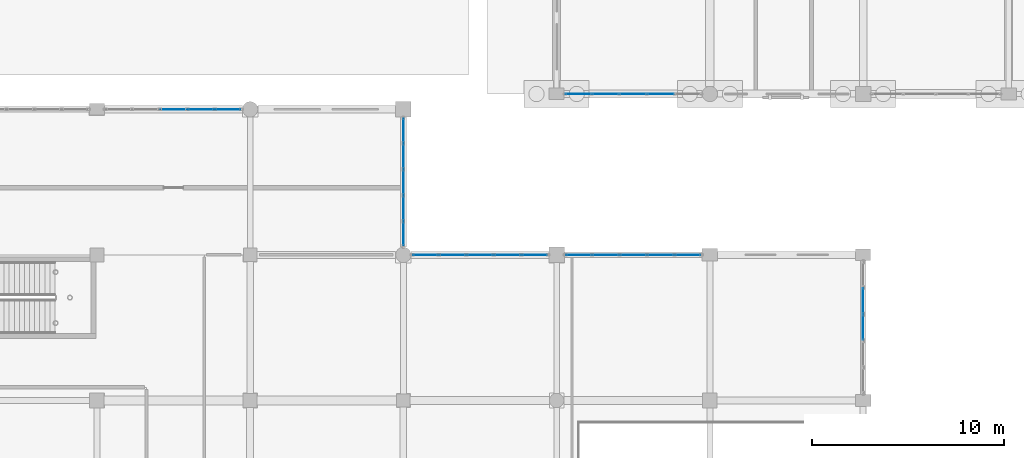
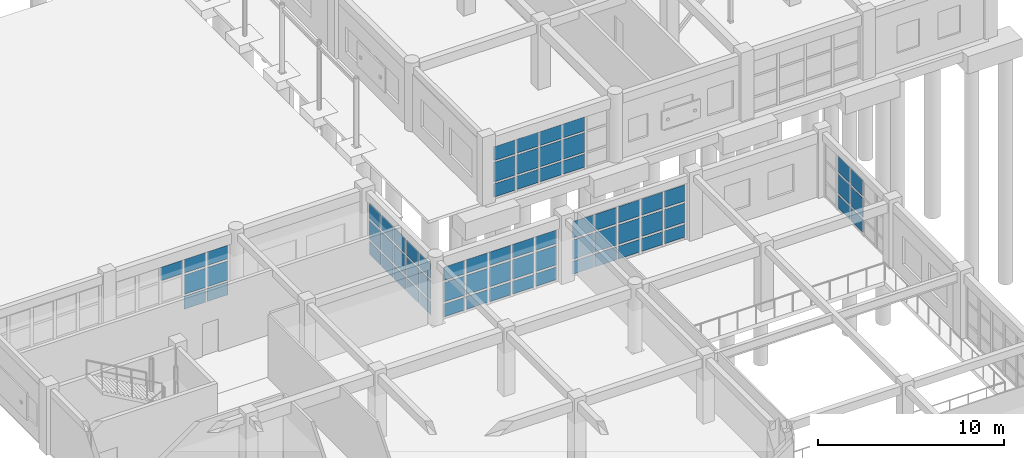
# One storey, part 115 of 166: 70 plates, 6 elements without a shape of their own.
"""IFC4 building model written with IfcOpenShell, lengths in metres."""

from ifc_helpers import new_model, si_unit, direction, frame, origin, origin_2d, place, context, subcontext, project, spatial, rectangle, extrude, material, layer, layer_set, type_object, element, aggregate, save


model = new_model("IFC4")

# Units and contexts
model_context = context("Model", 3, precision=1e-05, world=origin(), true_north=direction((0.0, 1.0)))
body_context = subcontext(model_context, "Body", "Model", "MODEL_VIEW")
ifc_project = project(units=[si_unit("LENGTHUNIT", "METRE"), si_unit("AREAUNIT", "SQUARE_METRE"), si_unit("VOLUMEUNIT", "CUBIC_METRE"), si_unit("PLANEANGLEUNIT", "RADIAN"), si_unit("MASSUNIT", "GRAM", prefix="KILO")], contexts=[model_context])

# Site, building, storey
site_placement = place(None, origin())
site = spatial("IfcSite", under=ifc_project, at=site_placement, CompositionType="ELEMENT")
building_placement = place(site_placement, origin())
building = spatial("IfcBuilding", under=site, at=building_placement, Name="Kharva Crest Polytechnic", CompositionType="ELEMENT")
storey_placement = place(building_placement, origin())
storey = spatial("IfcBuildingStorey", under=building, at=storey_placement, Name="L00", CompositionType="ELEMENT", Elevation=0.0)

# Curtain wall, plates
ifc_material = material(Name="Tempered insulated glass", Category="glass")
curtain_wall_type_1 = type_object("IfcCurtainWallType", Name="CW-SYS-COURT", PredefinedType="USERDEFINED", material=ifc_material)
curtain_wall_1_placement = place(storey_placement, origin())
curtain_wall_1 = element("IfcCurtainWall", 1, at=curtain_wall_1_placement, inside=storey, type_object=curtain_wall_type_1, Name="L00 Glazed Curtain Wall CW-014", ObjectType="CURTAIN WALL", PredefinedType="USERDEFINED")
ifc_layer_1 = layer(ifc_material, 0.02392578125, Name="Tempered insulated glass")
ifc_layer_set_1 = layer_set([ifc_layer_1], Name="Tempered insulated glass")
plate_type_1 = type_object("IfcPlateType", Name="CWP-GLZ-24", PredefinedType="CURTAIN_PANEL", material=ifc_layer_set_1)
plate_1_placement = place(storey_placement, frame((153.93505859375, 38.800048828125, 0.119873046875), z_axis=(0.0, 0.0, 1.0), x_axis=(1.0, 0.0, 0.0)))
plate_1 = element("IfcPlate", 2, at=plate_1_placement, type_object=plate_type_1, Name="CW-014 panel 1.1", PredefinedType="CURTAIN_PANEL", context=body_context, shape_type="SweptSolid", body=[
    extrude(rectangle(XDim=1.320068359375, YDim=0.02392578125, at=origin_2d()), origin(), (0.0, 0.0, 1.0), 0.8701171875),
])
plate_2_placement = place(storey_placement, frame((153.93505859375, 38.800048828125, 1.10986328125), z_axis=(0.0, 0.0, 1.0), x_axis=(1.0, 0.0, 0.0)))
plate_2 = element("IfcPlate", 3, at=plate_2_placement, type_object=plate_type_1, Name="CW-014 panel 1.2", PredefinedType="CURTAIN_PANEL", context=body_context, shape_type="SweptSolid", body=[
    extrude(rectangle(XDim=1.320068359375, YDim=0.02392578125, at=origin_2d()), origin(), (0.0, 0.0, 1.0), 1.280029296875),
])
plate_3_placement = place(storey_placement, frame((153.93505859375, 38.800048828125, 2.51025390625), z_axis=(0.0, 0.0, 1.0), x_axis=(1.0, 0.0, 0.0)))
plate_3 = element("IfcPlate", 4, at=plate_3_placement, type_object=plate_type_1, Name="CW-014 panel 1.3", PredefinedType="CURTAIN_PANEL", context=body_context, shape_type="SweptSolid", body=[
    extrude(rectangle(XDim=1.320068359375, YDim=0.02392578125, at=origin_2d()), origin(), (0.0, 0.0, 1.0), 0.909912109375),
])
plate_4_placement = place(storey_placement, frame((155.35498046875, 38.800048828125, 0.119873046875), z_axis=(0.0, 0.0, 1.0), x_axis=(1.0, 0.0, 0.0)))
plate_4 = element("IfcPlate", 5, at=plate_4_placement, type_object=plate_type_1, Name="CW-014 panel 2.1", PredefinedType="CURTAIN_PANEL", context=body_context, shape_type="SweptSolid", body=[
    extrude(rectangle(XDim=1.360107421875, YDim=0.02392578125, at=origin_2d()), origin(), (0.0, 0.0, 1.0), 0.8701171875),
])
plate_5_placement = place(storey_placement, frame((155.35498046875, 38.800048828125, 1.10986328125), z_axis=(0.0, 0.0, 1.0), x_axis=(1.0, 0.0, 0.0)))
plate_5 = element("IfcPlate", 6, at=plate_5_placement, type_object=plate_type_1, Name="CW-014 panel 2.2", PredefinedType="CURTAIN_PANEL", context=body_context, shape_type="SweptSolid", body=[
    extrude(rectangle(XDim=1.360107421875, YDim=0.02392578125, at=origin_2d()), origin(), (0.0, 0.0, 1.0), 1.280029296875),
])
plate_6_placement = place(storey_placement, frame((155.35498046875, 38.800048828125, 2.51025390625), z_axis=(0.0, 0.0, 1.0), x_axis=(1.0, 0.0, 0.0)))
plate_6 = element("IfcPlate", 7, at=plate_6_placement, type_object=plate_type_1, Name="CW-014 panel 2.3", PredefinedType="CURTAIN_PANEL", context=body_context, shape_type="SweptSolid", body=[
    extrude(rectangle(XDim=1.360107421875, YDim=0.02392578125, at=origin_2d()), origin(), (0.0, 0.0, 1.0), 0.909912109375),
])
plate_7_placement = place(storey_placement, frame((156.794921875, 38.800048828125, 0.119873046875), z_axis=(0.0, 0.0, 1.0), x_axis=(1.0, 0.0, 0.0)))
plate_7 = element("IfcPlate", 8, at=plate_7_placement, type_object=plate_type_1, Name="CW-014 panel 3.1", PredefinedType="CURTAIN_PANEL", context=body_context, shape_type="SweptSolid", body=[
    extrude(rectangle(XDim=1.360107421875, YDim=0.02392578125, at=origin_2d()), origin(), (0.0, 0.0, 1.0), 0.8701171875),
])
plate_8_placement = place(storey_placement, frame((156.794921875, 38.800048828125, 1.10986328125), z_axis=(0.0, 0.0, 1.0), x_axis=(1.0, 0.0, 0.0)))
plate_8 = element("IfcPlate", 9, at=plate_8_placement, type_object=plate_type_1, Name="CW-014 panel 3.2", PredefinedType="CURTAIN_PANEL", context=body_context, shape_type="SweptSolid", body=[
    extrude(rectangle(XDim=1.360107421875, YDim=0.02392578125, at=origin_2d()), origin(), (0.0, 0.0, 1.0), 1.280029296875),
])
plate_9_placement = place(storey_placement, frame((156.794921875, 38.800048828125, 2.51025390625), z_axis=(0.0, 0.0, 1.0), x_axis=(1.0, 0.0, 0.0)))
plate_9 = element("IfcPlate", 10, at=plate_9_placement, type_object=plate_type_1, Name="CW-014 panel 3.3", PredefinedType="CURTAIN_PANEL", context=body_context, shape_type="SweptSolid", body=[
    extrude(rectangle(XDim=1.360107421875, YDim=0.02392578125, at=origin_2d()), origin(), (0.0, 0.0, 1.0), 0.909912109375),
])
plate_10_placement = place(storey_placement, frame((158.235107421875, 38.800048828125, 0.119873046875), z_axis=(0.0, 0.0, 1.0), x_axis=(1.0, 0.0, 0.0)))
plate_10 = element("IfcPlate", 11, at=plate_10_placement, type_object=plate_type_1, Name="CW-014 panel 4.1", PredefinedType="CURTAIN_PANEL", context=body_context, shape_type="SweptSolid", body=[
    extrude(rectangle(XDim=1.360107421875, YDim=0.02392578125, at=origin_2d()), origin(), (0.0, 0.0, 1.0), 0.8701171875),
])
plate_11_placement = place(storey_placement, frame((158.235107421875, 38.800048828125, 1.10986328125), z_axis=(0.0, 0.0, 1.0), x_axis=(1.0, 0.0, 0.0)))
plate_11 = element("IfcPlate", 12, at=plate_11_placement, type_object=plate_type_1, Name="CW-014 panel 4.2", PredefinedType="CURTAIN_PANEL", context=body_context, shape_type="SweptSolid", body=[
    extrude(rectangle(XDim=1.360107421875, YDim=0.02392578125, at=origin_2d()), origin(), (0.0, 0.0, 1.0), 1.280029296875),
])
plate_12_placement = place(storey_placement, frame((158.235107421875, 38.800048828125, 2.51025390625), z_axis=(0.0, 0.0, 1.0), x_axis=(1.0, 0.0, 0.0)))
plate_12 = element("IfcPlate", 13, at=plate_12_placement, type_object=plate_type_1, Name="CW-014 panel 4.3", PredefinedType="CURTAIN_PANEL", context=body_context, shape_type="SweptSolid", body=[
    extrude(rectangle(XDim=1.360107421875, YDim=0.02392578125, at=origin_2d()), origin(), (0.0, 0.0, 1.0), 0.909912109375),
])
aggregate(curtain_wall_1, [plate_1, plate_2, plate_3, plate_4, plate_5, plate_6, plate_7, plate_8, plate_9, plate_10, plate_11, plate_12])

curtain_wall_type_2 = type_object("IfcCurtainWallType", Name="CW-SYS-REFECTORY", PredefinedType="USERDEFINED", material=ifc_material)
curtain_wall_2_placement = place(storey_placement, origin())
curtain_wall_2 = element("IfcCurtainWall", 14, at=curtain_wall_2_placement, inside=storey, type_object=curtain_wall_type_2, Name="L00 Glazed Curtain Wall CW-005", ObjectType="CURTAIN WALL", PredefinedType="USERDEFINED")
ifc_layer_2 = layer(ifc_material, 0.030029296875, Name="Tempered insulated glass")
ifc_layer_set_2 = layer_set([ifc_layer_2], Name="Tempered insulated glass")
plate_type_2 = type_object("IfcPlateType", Name="CWP-GLZ-30", PredefinedType="CURTAIN_PANEL", material=ifc_layer_set_2)
plate_13_placement = place(storey_placement, frame((144.800048828125, 31.509033203125, 0.14013671875), z_axis=(0.0, 0.0, 1.0), x_axis=(0.0, 1.0, 0.0)))
plate_13 = element("IfcPlate", 15, at=plate_13_placement, type_object=plate_type_2, Name="CW-005 panel 1.1", PredefinedType="CURTAIN_PANEL", context=body_context, shape_type="SweptSolid", body=[
    extrude(rectangle(XDim=1.2080078125, YDim=0.030029296875, at=origin_2d()), origin(), (0.0, 0.0, 1.0), 0.840087890625),
])
plate_14_placement = place(storey_placement, frame((144.800048828125, 31.509033203125, 1.1201171875), z_axis=(0.0, 0.0, 1.0), x_axis=(0.0, 1.0, 0.0)))
plate_14 = element("IfcPlate", 16, at=plate_14_placement, type_object=plate_type_2, Name="CW-005 panel 1.2", PredefinedType="CURTAIN_PANEL", context=body_context, shape_type="SweptSolid", body=[
    extrude(rectangle(XDim=1.2080078125, YDim=0.030029296875, at=origin_2d()), origin(), (0.0, 0.0, 1.0), 1.260009765625),
])
plate_15_placement = place(storey_placement, frame((144.800048828125, 31.509033203125, 2.52001953125), z_axis=(0.0, 0.0, 1.0), x_axis=(0.0, 1.0, 0.0)))
plate_15 = element("IfcPlate", 17, at=plate_15_placement, type_object=plate_type_2, Name="CW-005 panel 1.3", PredefinedType="CURTAIN_PANEL", context=body_context, shape_type="SweptSolid", body=[
    extrude(rectangle(XDim=1.2080078125, YDim=0.030029296875, at=origin_2d()), origin(), (0.0, 0.0, 1.0), 0.97998046875),
])
plate_16_placement = place(storey_placement, frame((144.800048828125, 32.842041015625, 0.14013671875), z_axis=(0.0, 0.0, 1.0), x_axis=(0.0, 1.0, 0.0)))
plate_16 = element("IfcPlate", 18, at=plate_16_placement, type_object=plate_type_2, Name="CW-005 panel 2.1", PredefinedType="CURTAIN_PANEL", context=body_context, shape_type="SweptSolid", body=[
    extrude(rectangle(XDim=1.258056640625, YDim=0.030029296875, at=origin_2d()), origin(), (0.0, 0.0, 1.0), 0.840087890625),
])
plate_17_placement = place(storey_placement, frame((144.800048828125, 32.842041015625, 1.1201171875), z_axis=(0.0, 0.0, 1.0), x_axis=(0.0, 1.0, 0.0)))
plate_17 = element("IfcPlate", 19, at=plate_17_placement, type_object=plate_type_2, Name="CW-005 panel 2.2", PredefinedType="CURTAIN_PANEL", context=body_context, shape_type="SweptSolid", body=[
    extrude(rectangle(XDim=1.258056640625, YDim=0.030029296875, at=origin_2d()), origin(), (0.0, 0.0, 1.0), 1.260009765625),
])
plate_18_placement = place(storey_placement, frame((144.800048828125, 32.842041015625, 2.52001953125), z_axis=(0.0, 0.0, 1.0), x_axis=(0.0, 1.0, 0.0)))
plate_18 = element("IfcPlate", 20, at=plate_18_placement, type_object=plate_type_2, Name="CW-005 panel 2.3", PredefinedType="CURTAIN_PANEL", context=body_context, shape_type="SweptSolid", body=[
    extrude(rectangle(XDim=1.258056640625, YDim=0.030029296875, at=origin_2d()), origin(), (0.0, 0.0, 1.0), 0.97998046875),
])
plate_19_placement = place(storey_placement, frame((144.800048828125, 34.199951171875, 0.14013671875), z_axis=(0.0, 0.0, 1.0), x_axis=(0.0, 1.0, 0.0)))
plate_19 = element("IfcPlate", 21, at=plate_19_placement, type_object=plate_type_2, Name="CW-005 panel 3.1", PredefinedType="CURTAIN_PANEL", context=body_context, shape_type="SweptSolid", body=[
    extrude(rectangle(XDim=1.258056640625, YDim=0.030029296875, at=origin_2d()), origin(), (0.0, 0.0, 1.0), 0.840087890625),
])
plate_20_placement = place(storey_placement, frame((144.800048828125, 34.199951171875, 1.1201171875), z_axis=(0.0, 0.0, 1.0), x_axis=(0.0, 1.0, 0.0)))
plate_20 = element("IfcPlate", 22, at=plate_20_placement, type_object=plate_type_2, Name="CW-005 panel 3.2", PredefinedType="CURTAIN_PANEL", context=body_context, shape_type="SweptSolid", body=[
    extrude(rectangle(XDim=1.258056640625, YDim=0.030029296875, at=origin_2d()), origin(), (0.0, 0.0, 1.0), 1.260009765625),
])
plate_21_placement = place(storey_placement, frame((144.800048828125, 34.199951171875, 2.52001953125), z_axis=(0.0, 0.0, 1.0), x_axis=(0.0, 1.0, 0.0)))
plate_21 = element("IfcPlate", 23, at=plate_21_placement, type_object=plate_type_2, Name="CW-005 panel 3.3", PredefinedType="CURTAIN_PANEL", context=body_context, shape_type="SweptSolid", body=[
    extrude(rectangle(XDim=1.258056640625, YDim=0.030029296875, at=origin_2d()), origin(), (0.0, 0.0, 1.0), 0.97998046875),
])
plate_22_placement = place(storey_placement, frame((144.800048828125, 35.55810546875, 0.14013671875), z_axis=(0.0, 0.0, 1.0), x_axis=(0.0, 1.0, 0.0)))
plate_22 = element("IfcPlate", 24, at=plate_22_placement, type_object=plate_type_2, Name="CW-005 panel 4.1", PredefinedType="CURTAIN_PANEL", context=body_context, shape_type="SweptSolid", body=[
    extrude(rectangle(XDim=1.258056640625, YDim=0.030029296875, at=origin_2d()), origin(), (0.0, 0.0, 1.0), 0.840087890625),
])
plate_23_placement = place(storey_placement, frame((144.800048828125, 35.55810546875, 1.1201171875), z_axis=(0.0, 0.0, 1.0), x_axis=(0.0, 1.0, 0.0)))
plate_23 = element("IfcPlate", 25, at=plate_23_placement, type_object=plate_type_2, Name="CW-005 panel 4.2", PredefinedType="CURTAIN_PANEL", context=body_context, shape_type="SweptSolid", body=[
    extrude(rectangle(XDim=1.258056640625, YDim=0.030029296875, at=origin_2d()), origin(), (0.0, 0.0, 1.0), 1.260009765625),
])
plate_24_placement = place(storey_placement, frame((144.800048828125, 35.55810546875, 2.52001953125), z_axis=(0.0, 0.0, 1.0), x_axis=(0.0, 1.0, 0.0)))
plate_24 = element("IfcPlate", 26, at=plate_24_placement, type_object=plate_type_2, Name="CW-005 panel 4.3", PredefinedType="CURTAIN_PANEL", context=body_context, shape_type="SweptSolid", body=[
    extrude(rectangle(XDim=1.258056640625, YDim=0.030029296875, at=origin_2d()), origin(), (0.0, 0.0, 1.0), 0.97998046875),
])
plate_25_placement = place(storey_placement, frame((144.800048828125, 36.89111328125, 0.14013671875), z_axis=(0.0, 0.0, 1.0), x_axis=(0.0, 1.0, 0.0)))
plate_25 = element("IfcPlate", 27, at=plate_25_placement, type_object=plate_type_2, Name="CW-005 panel 5.1", PredefinedType="CURTAIN_PANEL", context=body_context, shape_type="SweptSolid", body=[
    extrude(rectangle(XDim=1.2080078125, YDim=0.030029296875, at=origin_2d()), origin(), (0.0, 0.0, 1.0), 0.840087890625),
])
plate_26_placement = place(storey_placement, frame((144.800048828125, 36.89111328125, 1.1201171875), z_axis=(0.0, 0.0, 1.0), x_axis=(0.0, 1.0, 0.0)))
plate_26 = element("IfcPlate", 28, at=plate_26_placement, type_object=plate_type_2, Name="CW-005 panel 5.2", PredefinedType="CURTAIN_PANEL", context=body_context, shape_type="SweptSolid", body=[
    extrude(rectangle(XDim=1.2080078125, YDim=0.030029296875, at=origin_2d()), origin(), (0.0, 0.0, 1.0), 1.260009765625),
])
plate_27_placement = place(storey_placement, frame((144.800048828125, 36.89111328125, 2.52001953125), z_axis=(0.0, 0.0, 1.0), x_axis=(0.0, 1.0, 0.0)))
plate_27 = element("IfcPlate", 29, at=plate_27_placement, type_object=plate_type_2, Name="CW-005 panel 5.3", PredefinedType="CURTAIN_PANEL", context=body_context, shape_type="SweptSolid", body=[
    extrude(rectangle(XDim=1.2080078125, YDim=0.030029296875, at=origin_2d()), origin(), (0.0, 0.0, 1.0), 0.97998046875),
])
aggregate(curtain_wall_2, [plate_13, plate_14, plate_15, plate_16, plate_17, plate_18, plate_19, plate_20, plate_21, plate_22, plate_23, plate_24, plate_25, plate_26, plate_27])

curtain_wall_3_placement = place(storey_placement, origin())
curtain_wall_3 = element("IfcCurtainWall", 30, at=curtain_wall_3_placement, inside=storey, type_object=curtain_wall_type_2, Name="L00 Glazed Curtain Wall CW-006", ObjectType="CURTAIN WALL", PredefinedType="USERDEFINED")
plate_28_placement = place(storey_placement, frame((135.64990234375, 38.0, 0.14013671875), z_axis=(0.0, 0.0, 1.0), x_axis=(-1.0, 0.0, 0.0)))
plate_28 = element("IfcPlate", 31, at=plate_28_placement, type_object=plate_type_2, Name="CW-006 panel 1.1", PredefinedType="CURTAIN_PANEL", context=body_context, shape_type="SweptSolid", body=[
    extrude(rectangle(XDim=1.2900390625, YDim=0.030029296875, at=origin_2d()), origin(), (0.0, 0.0, 1.0), 0.840087890625),
])
plate_29_placement = place(storey_placement, frame((135.64990234375, 38.0, 1.1201171875), z_axis=(0.0, 0.0, 1.0), x_axis=(-1.0, 0.0, 0.0)))
plate_29 = element("IfcPlate", 32, at=plate_29_placement, type_object=plate_type_2, Name="CW-006 panel 1.2", PredefinedType="CURTAIN_PANEL", context=body_context, shape_type="SweptSolid", body=[
    extrude(rectangle(XDim=1.2900390625, YDim=0.030029296875, at=origin_2d()), origin(), (0.0, 0.0, 1.0), 1.260009765625),
])
plate_30_placement = place(storey_placement, frame((135.64990234375, 38.0, 2.52001953125), z_axis=(0.0, 0.0, 1.0), x_axis=(-1.0, 0.0, 0.0)))
plate_30 = element("IfcPlate", 33, at=plate_30_placement, type_object=plate_type_2, Name="CW-006 panel 1.3", PredefinedType="CURTAIN_PANEL", context=body_context, shape_type="SweptSolid", body=[
    extrude(rectangle(XDim=1.2900390625, YDim=0.030029296875, at=origin_2d()), origin(), (0.0, 0.0, 1.0), 0.8798828125),
])
plate_31_placement = place(storey_placement, frame((134.235107421875, 38.0, 0.14013671875), z_axis=(0.0, 0.0, 1.0), x_axis=(-1.0, 0.0, 0.0)))
plate_31 = element("IfcPlate", 34, at=plate_31_placement, type_object=plate_type_2, Name="CW-006 panel 2.1", PredefinedType="CURTAIN_PANEL", context=body_context, shape_type="SweptSolid", body=[
    extrude(rectangle(XDim=1.340087890625, YDim=0.030029296875, at=origin_2d()), origin(), (0.0, 0.0, 1.0), 0.840087890625),
])
plate_32_placement = place(storey_placement, frame((134.235107421875, 38.0, 1.1201171875), z_axis=(0.0, 0.0, 1.0), x_axis=(-1.0, 0.0, 0.0)))
plate_32 = element("IfcPlate", 35, at=plate_32_placement, type_object=plate_type_2, Name="CW-006 panel 2.2", PredefinedType="CURTAIN_PANEL", context=body_context, shape_type="SweptSolid", body=[
    extrude(rectangle(XDim=1.340087890625, YDim=0.030029296875, at=origin_2d()), origin(), (0.0, 0.0, 1.0), 1.260009765625),
])
plate_33_placement = place(storey_placement, frame((134.235107421875, 38.0, 2.52001953125), z_axis=(0.0, 0.0, 1.0), x_axis=(-1.0, 0.0, 0.0)))
plate_33 = element("IfcPlate", 36, at=plate_33_placement, type_object=plate_type_2, Name="CW-006 panel 2.3", PredefinedType="CURTAIN_PANEL", context=body_context, shape_type="SweptSolid", body=[
    extrude(rectangle(XDim=1.340087890625, YDim=0.030029296875, at=origin_2d()), origin(), (0.0, 0.0, 1.0), 0.8798828125),
])
plate_34_placement = place(storey_placement, frame((132.794921875, 38.0, 2.52001953125), z_axis=(0.0, 0.0, 1.0), x_axis=(-1.0, 0.0, 0.0)))
plate_34 = element("IfcPlate", 37, at=plate_34_placement, type_object=plate_type_2, Name="CW-006 panel 3.3", PredefinedType="CURTAIN_PANEL", context=body_context, shape_type="SweptSolid", body=[
    extrude(rectangle(XDim=1.340087890625, YDim=0.030029296875, at=origin_2d()), origin(), (0.0, 0.0, 1.0), 0.8798828125),
])
aggregate(curtain_wall_3, [plate_28, plate_29, plate_30, plate_31, plate_32, plate_33, plate_34])

curtain_wall_4_placement = place(storey_placement, origin())
curtain_wall_4 = element("IfcCurtainWall", 38, at=curtain_wall_4_placement, inside=storey, type_object=curtain_wall_type_2, Name="L00 Glazed Curtain Wall CW-011", ObjectType="CURTAIN WALL", PredefinedType="USERDEFINED")
plate_35_placement = place(storey_placement, frame((168.800048828125, 26.612548828125, 0.14013671875), z_axis=(0.0, 0.0, 1.0), x_axis=(0.0, 1.0, 0.0)))
plate_35 = element("IfcPlate", 39, at=plate_35_placement, type_object=plate_type_2, Name="CW-011 panel 3.1", PredefinedType="CURTAIN_PANEL", context=body_context, shape_type="SweptSolid", body=[
    extrude(rectangle(XDim=1.29296875, YDim=0.030029296875, at=origin_2d()), origin(), (0.0, 0.0, 1.0), 0.840087890625),
])
plate_36_placement = place(storey_placement, frame((168.800048828125, 26.612548828125, 1.1201171875), z_axis=(0.0, 0.0, 1.0), x_axis=(0.0, 1.0, 0.0)))
plate_36 = element("IfcPlate", 40, at=plate_36_placement, type_object=plate_type_2, Name="CW-011 panel 3.2", PredefinedType="CURTAIN_PANEL", context=body_context, shape_type="SweptSolid", body=[
    extrude(rectangle(XDim=1.29296875, YDim=0.030029296875, at=origin_2d()), origin(), (0.0, 0.0, 1.0), 1.260009765625),
])
plate_37_placement = place(storey_placement, frame((168.800048828125, 26.612548828125, 2.52001953125), z_axis=(0.0, 0.0, 1.0), x_axis=(0.0, 1.0, 0.0)))
plate_37 = element("IfcPlate", 41, at=plate_37_placement, type_object=plate_type_2, Name="CW-011 panel 3.3", PredefinedType="CURTAIN_PANEL", context=body_context, shape_type="SweptSolid", body=[
    extrude(rectangle(XDim=1.29296875, YDim=0.030029296875, at=origin_2d()), origin(), (0.0, 0.0, 1.0), 1.0400390625),
])
plate_38_placement = place(storey_placement, frame((168.800048828125, 28.005615234375, 0.14013671875), z_axis=(0.0, 0.0, 1.0), x_axis=(0.0, 1.0, 0.0)))
plate_38 = element("IfcPlate", 42, at=plate_38_placement, type_object=plate_type_2, Name="CW-011 panel 4.1", PredefinedType="CURTAIN_PANEL", context=body_context, shape_type="SweptSolid", body=[
    extrude(rectangle(XDim=1.29296875, YDim=0.030029296875, at=origin_2d()), origin(), (0.0, 0.0, 1.0), 0.840087890625),
])
plate_39_placement = place(storey_placement, frame((168.800048828125, 28.005615234375, 1.1201171875), z_axis=(0.0, 0.0, 1.0), x_axis=(0.0, 1.0, 0.0)))
plate_39 = element("IfcPlate", 43, at=plate_39_placement, type_object=plate_type_2, Name="CW-011 panel 4.2", PredefinedType="CURTAIN_PANEL", context=body_context, shape_type="SweptSolid", body=[
    extrude(rectangle(XDim=1.29296875, YDim=0.030029296875, at=origin_2d()), origin(), (0.0, 0.0, 1.0), 1.260009765625),
])
plate_40_placement = place(storey_placement, frame((168.800048828125, 28.005615234375, 2.52001953125), z_axis=(0.0, 0.0, 1.0), x_axis=(0.0, 1.0, 0.0)))
plate_40 = element("IfcPlate", 44, at=plate_40_placement, type_object=plate_type_2, Name="CW-011 panel 4.3", PredefinedType="CURTAIN_PANEL", context=body_context, shape_type="SweptSolid", body=[
    extrude(rectangle(XDim=1.29296875, YDim=0.030029296875, at=origin_2d()), origin(), (0.0, 0.0, 1.0), 1.0400390625),
])
aggregate(curtain_wall_4, [plate_35, plate_36, plate_37, plate_38, plate_39, plate_40])

curtain_wall_5_placement = place(storey_placement, origin())
curtain_wall_5 = element("IfcCurtainWall", 45, at=curtain_wall_5_placement, inside=storey, type_object=curtain_wall_type_2, Name="L00 Glazed Curtain Wall CW-012", ObjectType="CURTAIN WALL", PredefinedType="USERDEFINED")
plate_41_placement = place(storey_placement, frame((159.65087890625, 30.39990234375, 0.14013671875), z_axis=(0.0, 0.0, 1.0), x_axis=(-1.0, 0.0, 0.0)))
plate_41 = element("IfcPlate", 46, at=plate_41_placement, type_object=plate_type_2, Name="CW-012 panel 1.1", PredefinedType="CURTAIN_PANEL", context=body_context, shape_type="SweptSolid", body=[
    extrude(rectangle(XDim=1.2880859375, YDim=0.030029296875, at=origin_2d()), origin(), (0.0, 0.0, 1.0), 0.840087890625),
])
plate_42_placement = place(storey_placement, frame((159.65087890625, 30.39990234375, 1.1201171875), z_axis=(0.0, 0.0, 1.0), x_axis=(-1.0, 0.0, 0.0)))
plate_42 = element("IfcPlate", 47, at=plate_42_placement, type_object=plate_type_2, Name="CW-012 panel 1.2", PredefinedType="CURTAIN_PANEL", context=body_context, shape_type="SweptSolid", body=[
    extrude(rectangle(XDim=1.2880859375, YDim=0.030029296875, at=origin_2d()), origin(), (0.0, 0.0, 1.0), 1.260009765625),
])
plate_43_placement = place(storey_placement, frame((159.65087890625, 30.39990234375, 2.52001953125), z_axis=(0.0, 0.0, 1.0), x_axis=(-1.0, 0.0, 0.0)))
plate_43 = element("IfcPlate", 48, at=plate_43_placement, type_object=plate_type_2, Name="CW-012 panel 1.3", PredefinedType="CURTAIN_PANEL", context=body_context, shape_type="SweptSolid", body=[
    extrude(rectangle(XDim=1.2880859375, YDim=0.030029296875, at=origin_2d()), origin(), (0.0, 0.0, 1.0), 1.06005859375),
])
plate_44_placement = place(storey_placement, frame((158.238037109375, 30.39990234375, 0.14013671875), z_axis=(0.0, 0.0, 1.0), x_axis=(-1.0, 0.0, 0.0)))
plate_44 = element("IfcPlate", 49, at=plate_44_placement, type_object=plate_type_2, Name="CW-012 panel 2.1", PredefinedType="CURTAIN_PANEL", context=body_context, shape_type="SweptSolid", body=[
    extrude(rectangle(XDim=1.337890625, YDim=0.030029296875, at=origin_2d()), origin(), (0.0, 0.0, 1.0), 0.840087890625),
])
plate_45_placement = place(storey_placement, frame((158.238037109375, 30.39990234375, 1.1201171875), z_axis=(0.0, 0.0, 1.0), x_axis=(-1.0, 0.0, 0.0)))
plate_45 = element("IfcPlate", 50, at=plate_45_placement, type_object=plate_type_2, Name="CW-012 panel 2.2", PredefinedType="CURTAIN_PANEL", context=body_context, shape_type="SweptSolid", body=[
    extrude(rectangle(XDim=1.337890625, YDim=0.030029296875, at=origin_2d()), origin(), (0.0, 0.0, 1.0), 1.260009765625),
])
plate_46_placement = place(storey_placement, frame((158.238037109375, 30.39990234375, 2.52001953125), z_axis=(0.0, 0.0, 1.0), x_axis=(-1.0, 0.0, 0.0)))
plate_46 = element("IfcPlate", 51, at=plate_46_placement, type_object=plate_type_2, Name="CW-012 panel 2.3", PredefinedType="CURTAIN_PANEL", context=body_context, shape_type="SweptSolid", body=[
    extrude(rectangle(XDim=1.337890625, YDim=0.030029296875, at=origin_2d()), origin(), (0.0, 0.0, 1.0), 1.06005859375),
])
plate_47_placement = place(storey_placement, frame((156.800048828125, 30.39990234375, 0.14013671875), z_axis=(0.0, 0.0, 1.0), x_axis=(-1.0, 0.0, 0.0)))
plate_47 = element("IfcPlate", 52, at=plate_47_placement, type_object=plate_type_2, Name="CW-012 panel 3.1", PredefinedType="CURTAIN_PANEL", context=body_context, shape_type="SweptSolid", body=[
    extrude(rectangle(XDim=1.337890625, YDim=0.030029296875, at=origin_2d()), origin(), (0.0, 0.0, 1.0), 0.840087890625),
])
plate_48_placement = place(storey_placement, frame((156.800048828125, 30.39990234375, 1.1201171875), z_axis=(0.0, 0.0, 1.0), x_axis=(-1.0, 0.0, 0.0)))
plate_48 = element("IfcPlate", 53, at=plate_48_placement, type_object=plate_type_2, Name="CW-012 panel 3.2", PredefinedType="CURTAIN_PANEL", context=body_context, shape_type="SweptSolid", body=[
    extrude(rectangle(XDim=1.337890625, YDim=0.030029296875, at=origin_2d()), origin(), (0.0, 0.0, 1.0), 1.260009765625),
])
plate_49_placement = place(storey_placement, frame((156.800048828125, 30.39990234375, 2.52001953125), z_axis=(0.0, 0.0, 1.0), x_axis=(-1.0, 0.0, 0.0)))
plate_49 = element("IfcPlate", 54, at=plate_49_placement, type_object=plate_type_2, Name="CW-012 panel 3.3", PredefinedType="CURTAIN_PANEL", context=body_context, shape_type="SweptSolid", body=[
    extrude(rectangle(XDim=1.337890625, YDim=0.030029296875, at=origin_2d()), origin(), (0.0, 0.0, 1.0), 1.06005859375),
])
plate_50_placement = place(storey_placement, frame((155.362060546875, 30.39990234375, 0.14013671875), z_axis=(0.0, 0.0, 1.0), x_axis=(-1.0, 0.0, 0.0)))
plate_50 = element("IfcPlate", 55, at=plate_50_placement, type_object=plate_type_2, Name="CW-012 panel 4.1", PredefinedType="CURTAIN_PANEL", context=body_context, shape_type="SweptSolid", body=[
    extrude(rectangle(XDim=1.337890625, YDim=0.030029296875, at=origin_2d()), origin(), (0.0, 0.0, 1.0), 0.840087890625),
])
plate_51_placement = place(storey_placement, frame((155.362060546875, 30.39990234375, 1.1201171875), z_axis=(0.0, 0.0, 1.0), x_axis=(-1.0, 0.0, 0.0)))
plate_51 = element("IfcPlate", 56, at=plate_51_placement, type_object=plate_type_2, Name="CW-012 panel 4.2", PredefinedType="CURTAIN_PANEL", context=body_context, shape_type="SweptSolid", body=[
    extrude(rectangle(XDim=1.337890625, YDim=0.030029296875, at=origin_2d()), origin(), (0.0, 0.0, 1.0), 1.260009765625),
])
plate_52_placement = place(storey_placement, frame((155.362060546875, 30.39990234375, 2.52001953125), z_axis=(0.0, 0.0, 1.0), x_axis=(-1.0, 0.0, 0.0)))
plate_52 = element("IfcPlate", 57, at=plate_52_placement, type_object=plate_type_2, Name="CW-012 panel 4.3", PredefinedType="CURTAIN_PANEL", context=body_context, shape_type="SweptSolid", body=[
    extrude(rectangle(XDim=1.337890625, YDim=0.030029296875, at=origin_2d()), origin(), (0.0, 0.0, 1.0), 1.06005859375),
])
plate_53_placement = place(storey_placement, frame((153.948974609375, 30.39990234375, 0.14013671875), z_axis=(0.0, 0.0, 1.0), x_axis=(-1.0, 0.0, 0.0)))
plate_53 = element("IfcPlate", 58, at=plate_53_placement, type_object=plate_type_2, Name="CW-012 panel 5.1", PredefinedType="CURTAIN_PANEL", context=body_context, shape_type="SweptSolid", body=[
    extrude(rectangle(XDim=1.2880859375, YDim=0.030029296875, at=origin_2d()), origin(), (0.0, 0.0, 1.0), 0.840087890625),
])
plate_54_placement = place(storey_placement, frame((153.948974609375, 30.39990234375, 1.1201171875), z_axis=(0.0, 0.0, 1.0), x_axis=(-1.0, 0.0, 0.0)))
plate_54 = element("IfcPlate", 59, at=plate_54_placement, type_object=plate_type_2, Name="CW-012 panel 5.2", PredefinedType="CURTAIN_PANEL", context=body_context, shape_type="SweptSolid", body=[
    extrude(rectangle(XDim=1.2880859375, YDim=0.030029296875, at=origin_2d()), origin(), (0.0, 0.0, 1.0), 1.260009765625),
])
plate_55_placement = place(storey_placement, frame((153.948974609375, 30.39990234375, 2.52001953125), z_axis=(0.0, 0.0, 1.0), x_axis=(-1.0, 0.0, 0.0)))
plate_55 = element("IfcPlate", 60, at=plate_55_placement, type_object=plate_type_2, Name="CW-012 panel 5.3", PredefinedType="CURTAIN_PANEL", context=body_context, shape_type="SweptSolid", body=[
    extrude(rectangle(XDim=1.2880859375, YDim=0.030029296875, at=origin_2d()), origin(), (0.0, 0.0, 1.0), 1.06005859375),
])
aggregate(curtain_wall_5, [plate_41, plate_42, plate_43, plate_44, plate_45, plate_46, plate_47, plate_48, plate_49, plate_50, plate_51, plate_52, plate_53, plate_54, plate_55])

curtain_wall_6_placement = place(storey_placement, origin())
curtain_wall_6 = element("IfcCurtainWall", 61, at=curtain_wall_6_placement, inside=storey, type_object=curtain_wall_type_2, Name="L00 Glazed Curtain Wall CW-013", ObjectType="CURTAIN WALL", PredefinedType="USERDEFINED")
plate_56_placement = place(storey_placement, frame((151.65087890625, 30.39990234375, 0.14013671875), z_axis=(0.0, 0.0, 1.0), x_axis=(-1.0, 0.0, 0.0)))
plate_56 = element("IfcPlate", 62, at=plate_56_placement, type_object=plate_type_2, Name="CW-013 panel 1.1", PredefinedType="CURTAIN_PANEL", context=body_context, shape_type="SweptSolid", body=[
    extrude(rectangle(XDim=1.2880859375, YDim=0.030029296875, at=origin_2d()), origin(), (0.0, 0.0, 1.0), 0.840087890625),
])
plate_57_placement = place(storey_placement, frame((151.65087890625, 30.39990234375, 1.1201171875), z_axis=(0.0, 0.0, 1.0), x_axis=(-1.0, 0.0, 0.0)))
plate_57 = element("IfcPlate", 63, at=plate_57_placement, type_object=plate_type_2, Name="CW-013 panel 1.2", PredefinedType="CURTAIN_PANEL", context=body_context, shape_type="SweptSolid", body=[
    extrude(rectangle(XDim=1.2880859375, YDim=0.030029296875, at=origin_2d()), origin(), (0.0, 0.0, 1.0), 1.260009765625),
])
plate_58_placement = place(storey_placement, frame((151.65087890625, 30.39990234375, 2.52001953125), z_axis=(0.0, 0.0, 1.0), x_axis=(-1.0, 0.0, 0.0)))
plate_58 = element("IfcPlate", 64, at=plate_58_placement, type_object=plate_type_2, Name="CW-013 panel 1.3", PredefinedType="CURTAIN_PANEL", context=body_context, shape_type="SweptSolid", body=[
    extrude(rectangle(XDim=1.2880859375, YDim=0.030029296875, at=origin_2d()), origin(), (0.0, 0.0, 1.0), 0.8798828125),
])
plate_59_placement = place(storey_placement, frame((150.238037109375, 30.39990234375, 0.14013671875), z_axis=(0.0, 0.0, 1.0), x_axis=(-1.0, 0.0, 0.0)))
plate_59 = element("IfcPlate", 65, at=plate_59_placement, type_object=plate_type_2, Name="CW-013 panel 2.1", PredefinedType="CURTAIN_PANEL", context=body_context, shape_type="SweptSolid", body=[
    extrude(rectangle(XDim=1.337890625, YDim=0.030029296875, at=origin_2d()), origin(), (0.0, 0.0, 1.0), 0.840087890625),
])
plate_60_placement = place(storey_placement, frame((150.238037109375, 30.39990234375, 1.1201171875), z_axis=(0.0, 0.0, 1.0), x_axis=(-1.0, 0.0, 0.0)))
plate_60 = element("IfcPlate", 66, at=plate_60_placement, type_object=plate_type_2, Name="CW-013 panel 2.2", PredefinedType="CURTAIN_PANEL", context=body_context, shape_type="SweptSolid", body=[
    extrude(rectangle(XDim=1.337890625, YDim=0.030029296875, at=origin_2d()), origin(), (0.0, 0.0, 1.0), 1.260009765625),
])
plate_61_placement = place(storey_placement, frame((150.238037109375, 30.39990234375, 2.52001953125), z_axis=(0.0, 0.0, 1.0), x_axis=(-1.0, 0.0, 0.0)))
plate_61 = element("IfcPlate", 67, at=plate_61_placement, type_object=plate_type_2, Name="CW-013 panel 2.3", PredefinedType="CURTAIN_PANEL", context=body_context, shape_type="SweptSolid", body=[
    extrude(rectangle(XDim=1.337890625, YDim=0.030029296875, at=origin_2d()), origin(), (0.0, 0.0, 1.0), 0.8798828125),
])
plate_62_placement = place(storey_placement, frame((148.800048828125, 30.39990234375, 0.14013671875), z_axis=(0.0, 0.0, 1.0), x_axis=(-1.0, 0.0, 0.0)))
plate_62 = element("IfcPlate", 68, at=plate_62_placement, type_object=plate_type_2, Name="CW-013 panel 3.1", PredefinedType="CURTAIN_PANEL", context=body_context, shape_type="SweptSolid", body=[
    extrude(rectangle(XDim=1.337890625, YDim=0.030029296875, at=origin_2d()), origin(), (0.0, 0.0, 1.0), 0.840087890625),
])
plate_63_placement = place(storey_placement, frame((148.800048828125, 30.39990234375, 1.1201171875), z_axis=(0.0, 0.0, 1.0), x_axis=(-1.0, 0.0, 0.0)))
plate_63 = element("IfcPlate", 69, at=plate_63_placement, type_object=plate_type_2, Name="CW-013 panel 3.2", PredefinedType="CURTAIN_PANEL", context=body_context, shape_type="SweptSolid", body=[
    extrude(rectangle(XDim=1.337890625, YDim=0.030029296875, at=origin_2d()), origin(), (0.0, 0.0, 1.0), 1.260009765625),
])
plate_64_placement = place(storey_placement, frame((148.800048828125, 30.39990234375, 2.52001953125), z_axis=(0.0, 0.0, 1.0), x_axis=(-1.0, 0.0, 0.0)))
plate_64 = element("IfcPlate", 70, at=plate_64_placement, type_object=plate_type_2, Name="CW-013 panel 3.3", PredefinedType="CURTAIN_PANEL", context=body_context, shape_type="SweptSolid", body=[
    extrude(rectangle(XDim=1.337890625, YDim=0.030029296875, at=origin_2d()), origin(), (0.0, 0.0, 1.0), 0.8798828125),
])
plate_65_placement = place(storey_placement, frame((147.362060546875, 30.39990234375, 0.14013671875), z_axis=(0.0, 0.0, 1.0), x_axis=(-1.0, 0.0, 0.0)))
plate_65 = element("IfcPlate", 71, at=plate_65_placement, type_object=plate_type_2, Name="CW-013 panel 4.1", PredefinedType="CURTAIN_PANEL", context=body_context, shape_type="SweptSolid", body=[
    extrude(rectangle(XDim=1.337890625, YDim=0.030029296875, at=origin_2d()), origin(), (0.0, 0.0, 1.0), 0.840087890625),
])
plate_66_placement = place(storey_placement, frame((147.362060546875, 30.39990234375, 1.1201171875), z_axis=(0.0, 0.0, 1.0), x_axis=(-1.0, 0.0, 0.0)))
plate_66 = element("IfcPlate", 72, at=plate_66_placement, type_object=plate_type_2, Name="CW-013 panel 4.2", PredefinedType="CURTAIN_PANEL", context=body_context, shape_type="SweptSolid", body=[
    extrude(rectangle(XDim=1.337890625, YDim=0.030029296875, at=origin_2d()), origin(), (0.0, 0.0, 1.0), 1.260009765625),
])
plate_67_placement = place(storey_placement, frame((147.362060546875, 30.39990234375, 2.52001953125), z_axis=(0.0, 0.0, 1.0), x_axis=(-1.0, 0.0, 0.0)))
plate_67 = element("IfcPlate", 73, at=plate_67_placement, type_object=plate_type_2, Name="CW-013 panel 4.3", PredefinedType="CURTAIN_PANEL", context=body_context, shape_type="SweptSolid", body=[
    extrude(rectangle(XDim=1.337890625, YDim=0.030029296875, at=origin_2d()), origin(), (0.0, 0.0, 1.0), 0.8798828125),
])
plate_68_placement = place(storey_placement, frame((145.948974609375, 30.39990234375, 0.14013671875), z_axis=(0.0, 0.0, 1.0), x_axis=(-1.0, 0.0, 0.0)))
plate_68 = element("IfcPlate", 74, at=plate_68_placement, type_object=plate_type_2, Name="CW-013 panel 5.1", PredefinedType="CURTAIN_PANEL", context=body_context, shape_type="SweptSolid", body=[
    extrude(rectangle(XDim=1.2880859375, YDim=0.030029296875, at=origin_2d()), origin(), (0.0, 0.0, 1.0), 0.840087890625),
])
plate_69_placement = place(storey_placement, frame((145.948974609375, 30.39990234375, 1.1201171875), z_axis=(0.0, 0.0, 1.0), x_axis=(-1.0, 0.0, 0.0)))
plate_69 = element("IfcPlate", 75, at=plate_69_placement, type_object=plate_type_2, Name="CW-013 panel 5.2", PredefinedType="CURTAIN_PANEL", context=body_context, shape_type="SweptSolid", body=[
    extrude(rectangle(XDim=1.2880859375, YDim=0.030029296875, at=origin_2d()), origin(), (0.0, 0.0, 1.0), 1.260009765625),
])
plate_70_placement = place(storey_placement, frame((145.948974609375, 30.39990234375, 2.52001953125), z_axis=(0.0, 0.0, 1.0), x_axis=(-1.0, 0.0, 0.0)))
plate_70 = element("IfcPlate", 76, at=plate_70_placement, type_object=plate_type_2, Name="CW-013 panel 5.3", PredefinedType="CURTAIN_PANEL", context=body_context, shape_type="SweptSolid", body=[
    extrude(rectangle(XDim=1.2880859375, YDim=0.030029296875, at=origin_2d()), origin(), (0.0, 0.0, 1.0), 0.8798828125),
])
aggregate(curtain_wall_6, [plate_56, plate_57, plate_58, plate_59, plate_60, plate_61, plate_62, plate_63, plate_64, plate_65, plate_66, plate_67, plate_68, plate_69, plate_70])

save(model, "model.ifc")
